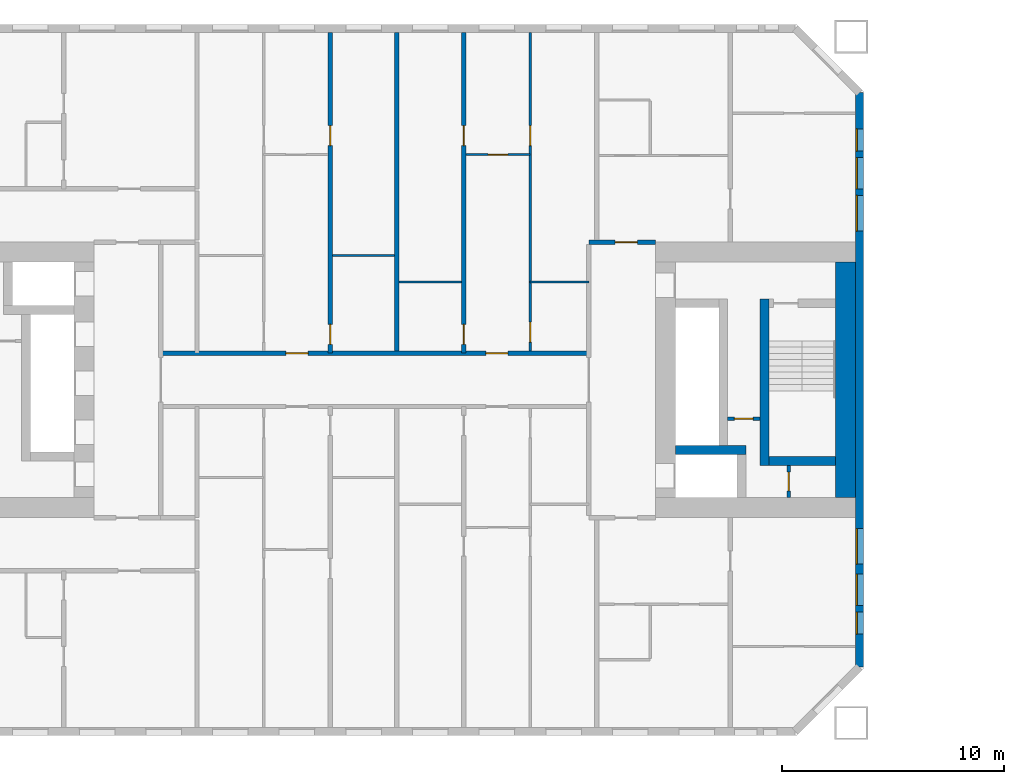
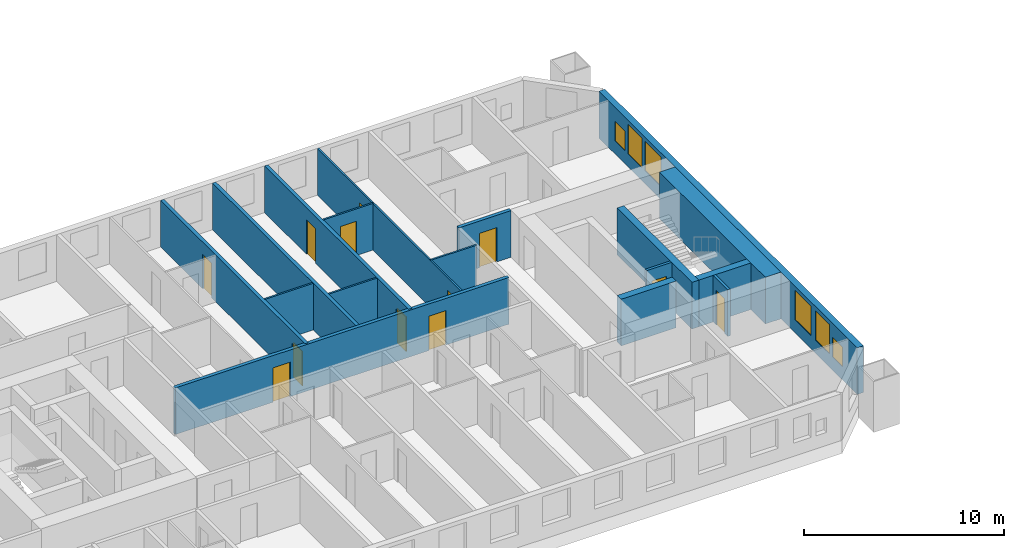
# One storey, part 7 of 16: 17 walls, 12 doors, 6 windows, 18 openings.
"""IFC4 building model written with IfcOpenShell, lengths in metres."""

from ifc_helpers import new_model, si_unit, direction, frame, frame_2d, origin, place, context, subcontext, project, spatial, rectangle, extrude, material, layer, layer_set, type_object, element, fill, save


model = new_model("IFC4")

# Units and contexts
model_context = context("Model", 3, precision=1e-05, world=origin(), true_north=direction((0.0, 1.0)))
body_context = subcontext(model_context, "Body", "Model", "MODEL_VIEW")
ifc_project = project(units=[si_unit("LENGTHUNIT", "METRE"), si_unit("AREAUNIT", "SQUARE_METRE"), si_unit("VOLUMEUNIT", "CUBIC_METRE"), si_unit("PLANEANGLEUNIT", "RADIAN"), si_unit("MASSUNIT", "GRAM", prefix="KILO")], contexts=[model_context])

# Site, building, storey
site_placement = place(None, origin())
site = spatial("IfcSite", under=ifc_project, at=site_placement, CompositionType="ELEMENT")
building_placement = place(site_placement, origin())
building = spatial("IfcBuilding", under=site, at=building_placement, Name="Tuart Gate Housing", CompositionType="ELEMENT")
storey_placement = place(building_placement, frame((0.0, 0.0, 19.5)))
storey = spatial("IfcBuildingStorey", under=building, at=storey_placement, Name="L04", CompositionType="ELEMENT", Elevation=19.5)

# Wall, openings, windows
ifc_material_1 = material(Name="Brick", Category="masonry")
ifc_layer_1 = layer(ifc_material_1, 0.360107421875)
ifc_layer_set_1 = layer_set([ifc_layer_1], Name="Brick pier and spandrel wall 360")
wall_type_1 = type_object("IfcWallType", Name="Brick pier and spandrel wall 360", PredefinedType="STANDARD", material=ifc_layer_set_1)
wall_1_placement = place(storey_placement, frame((75.820068359375, 57.07470703125, 0.0), z_axis=(0.0, 0.0, 1.0), x_axis=(0.0, 1.0, 0.0)))
wall_1 = element("IfcWall", 1, at=wall_1_placement, inside=storey, type_object=wall_type_1, Name="External wall A-E L04", PredefinedType="STANDARD", context=body_context, shape_type="SweptSolid", body=[
    extrude(rectangle(XDim=25.850830078125, YDim=0.360107421875, at=frame_2d((12.92529296875, 0.0))), origin(), (0.0, 0.0, 1.0), 2.85009765625),
])
opening_1_placement = place(wall_1_placement, frame((1.475341796875, 0.0, 0.800048828125)))
opening_1 = element("IfcOpeningElement", 2, at=opening_1_placement, cuts=wall_1, Name="Opening W1O", PredefinedType="OPENING", context=body_context, shape_type="SweptSolid", body=[
    extrude(rectangle(XDim=1.0, YDim=1.199951171875, at=frame_2d((0.5, 0.60009765625))), frame((0.0, 0.18994140625, 0.0), z_axis=(0.0, -1.0, 0.0), x_axis=(1.0, 0.0, 0.0)), (0.0, 0.0, 1.0), 0.380126953125),
])
opening_2_placement = place(wall_1_placement, frame((4.62548828125, 0.0, 0.800048828125)))
opening_2 = element("IfcOpeningElement", 3, at=opening_2_placement, cuts=wall_1, Name="Opening W1", PredefinedType="OPENING", context=body_context, shape_type="SweptSolid", body=[
    extrude(rectangle(XDim=1.60009765625, YDim=1.800048828125, at=frame_2d((0.800048828125, 0.89990234375))), frame((0.0, 0.18994140625, 0.0), z_axis=(0.0, -1.0, 0.0), x_axis=(1.0, 0.0, 0.0)), (0.0, 0.0, 1.0), 0.380126953125),
])
opening_3_placement = place(wall_1_placement, frame((19.62548828125, 0.0, 0.800048828125)))
opening_3 = element("IfcOpeningElement", 4, at=opening_3_placement, cuts=wall_1, Name="Opening W1", PredefinedType="OPENING", context=body_context, shape_type="SweptSolid", body=[
    extrude(rectangle(XDim=1.60009765625, YDim=1.800048828125, at=frame_2d((0.800048828125, 0.89990234375))), frame((0.0, 0.18994140625, 0.0), z_axis=(0.0, -1.0, 0.0), x_axis=(1.0, 0.0, 0.0)), (0.0, 0.0, 1.0), 0.380126953125),
])
opening_4_placement = place(wall_1_placement, frame((21.525390625, 0.0, 0.800048828125)))
opening_4 = element("IfcOpeningElement", 5, at=opening_4_placement, cuts=wall_1, Name="Opening W1A", PredefinedType="OPENING", context=body_context, shape_type="SweptSolid", body=[
    extrude(rectangle(XDim=1.39990234375, YDim=1.800048828125, at=frame_2d((0.699951171875, 0.89990234375))), frame((0.0, 0.18994140625, 0.0), z_axis=(0.0, -1.0, 0.0), x_axis=(1.0, 0.0, 0.0)), (0.0, 0.0, 1.0), 0.380126953125),
])
opening_5_placement = place(wall_1_placement, frame((2.775390625, 0.0, 0.800048828125)))
opening_5 = element("IfcOpeningElement", 6, at=opening_5_placement, cuts=wall_1, Name="Opening W1A", PredefinedType="OPENING", context=body_context, shape_type="SweptSolid", body=[
    extrude(rectangle(XDim=1.39990234375, YDim=1.800048828125, at=frame_2d((0.699951171875, 0.89990234375))), frame((0.0, 0.18994140625, 0.0), z_axis=(0.0, -1.0, 0.0), x_axis=(1.0, 0.0, 0.0)), (0.0, 0.0, 1.0), 0.380126953125),
])
opening_6_placement = place(wall_1_placement, frame((23.225341796875, 0.0, 0.800048828125)))
opening_6 = element("IfcOpeningElement", 7, at=opening_6_placement, cuts=wall_1, Name="Opening W1O", PredefinedType="OPENING", context=body_context, shape_type="SweptSolid", body=[
    extrude(rectangle(XDim=1.0, YDim=1.199951171875, at=frame_2d((0.5, 0.60009765625))), frame((0.0, 0.18994140625, 0.0), z_axis=(0.0, -1.0, 0.0), x_axis=(1.0, 0.0, 0.0)), (0.0, 0.0, 1.0), 0.380126953125),
])
ifc_material_2 = material(Name="Aluminium frame with clear glass", Category="aluminium")
window_type_1 = type_object("IfcWindowType", Name="Punched window 1000 x 1200", PartitioningType="SINGLE_PANEL", PredefinedType="WINDOW", material=ifc_material_2)
window_1_placement = place(opening_1_placement, origin())
window_1 = element("IfcWindow", 8, at=window_1_placement, inside=storey, type_object=window_type_1, Name="Window W1O", OverallHeight=1.199951171875, OverallWidth=1.0, PartitioningType="SINGLE_PANEL", PredefinedType="WINDOW", context=body_context, shape_type="SweptSolid", body=[
    extrude(rectangle(XDim=1.0, YDim=1.199951171875, at=frame_2d((0.5, 0.60009765625))), frame((0.0, 0.150146484375, 0.0), z_axis=(0.0, -1.0, 0.0), x_axis=(1.0, 0.0, 0.0)), (0.0, 0.0, 1.0), 0.06005859375),
])
fill(opening_1, window_1)
window_2_placement = place(opening_6_placement, origin())
window_2 = element("IfcWindow", 9, at=window_2_placement, inside=storey, type_object=window_type_1, Name="Window W1O", OverallHeight=1.199951171875, OverallWidth=1.0, PartitioningType="SINGLE_PANEL", PredefinedType="WINDOW", context=body_context, shape_type="SweptSolid", body=[
    extrude(rectangle(XDim=1.0, YDim=1.199951171875, at=frame_2d((0.5, 0.60009765625))), frame((0.0, 0.150146484375, 0.0), z_axis=(0.0, -1.0, 0.0), x_axis=(1.0, 0.0, 0.0)), (0.0, 0.0, 1.0), 0.06005859375),
])
fill(opening_6, window_2)
ifc_material_3 = material(Name="Aluminium frame with clear glass", Category="aluminium")
window_type_2 = type_object("IfcWindowType", Name="Punched window 1400 x 1800", PartitioningType="SINGLE_PANEL", PredefinedType="WINDOW", material=ifc_material_3)
window_3_placement = place(opening_4_placement, origin())
window_3 = element("IfcWindow", 10, at=window_3_placement, inside=storey, type_object=window_type_2, Name="Window W1A", OverallHeight=1.800048828125, OverallWidth=1.39990234375, PartitioningType="SINGLE_PANEL", PredefinedType="WINDOW", context=body_context, shape_type="SweptSolid", body=[
    extrude(rectangle(XDim=1.39990234375, YDim=1.800048828125, at=frame_2d((0.699951171875, 0.89990234375))), frame((0.0, 0.150146484375, 0.0), z_axis=(0.0, -1.0, 0.0), x_axis=(1.0, 0.0, 0.0)), (0.0, 0.0, 1.0), 0.06005859375),
])
fill(opening_4, window_3)
window_4_placement = place(opening_5_placement, origin())
window_4 = element("IfcWindow", 11, at=window_4_placement, inside=storey, type_object=window_type_2, Name="Window W1A", OverallHeight=1.800048828125, OverallWidth=1.39990234375, PartitioningType="SINGLE_PANEL", PredefinedType="WINDOW", context=body_context, shape_type="SweptSolid", body=[
    extrude(rectangle(XDim=1.39990234375, YDim=1.800048828125, at=frame_2d((0.699951171875, 0.89990234375))), frame((0.0, 0.150146484375, 0.0), z_axis=(0.0, -1.0, 0.0), x_axis=(1.0, 0.0, 0.0)), (0.0, 0.0, 1.0), 0.06005859375),
])
fill(opening_5, window_4)
ifc_material_4 = material(Name="Aluminium frame with clear glass", Category="aluminium")
window_type_3 = type_object("IfcWindowType", Name="Punched window 1600 x 1800", PartitioningType="SINGLE_PANEL", PredefinedType="WINDOW", material=ifc_material_4)
window_5_placement = place(opening_2_placement, origin())
window_5 = element("IfcWindow", 12, at=window_5_placement, inside=storey, type_object=window_type_3, Name="Window W1", OverallHeight=1.800048828125, OverallWidth=1.60009765625, PartitioningType="SINGLE_PANEL", PredefinedType="WINDOW", context=body_context, shape_type="SweptSolid", body=[
    extrude(rectangle(XDim=1.60009765625, YDim=1.800048828125, at=frame_2d((0.800048828125, 0.89990234375))), frame((0.0, 0.150146484375, 0.0), z_axis=(0.0, -1.0, 0.0), x_axis=(1.0, 0.0, 0.0)), (0.0, 0.0, 1.0), 0.06005859375),
])
fill(opening_2, window_5)
window_6_placement = place(opening_3_placement, origin())
window_6 = element("IfcWindow", 13, at=window_6_placement, inside=storey, type_object=window_type_3, Name="Window W1", OverallHeight=1.800048828125, OverallWidth=1.60009765625, PartitioningType="SINGLE_PANEL", PredefinedType="WINDOW", context=body_context, shape_type="SweptSolid", body=[
    extrude(rectangle(XDim=1.60009765625, YDim=1.800048828125, at=frame_2d((0.800048828125, 0.89990234375))), frame((0.0, 0.150146484375, 0.0), z_axis=(0.0, -1.0, 0.0), x_axis=(1.0, 0.0, 0.0)), (0.0, 0.0, 1.0), 0.06005859375),
])
fill(opening_3, window_6)

# Wall, opening, door
ifc_material_5 = material(Name="Plasterboard partition")
ifc_layer_2 = layer(ifc_material_5, 0.14990234375)
ifc_layer_set_2 = layer_set([ifc_layer_2], Name="Core partition 150")
wall_type_2 = type_object("IfcWallType", Name="Core partition 150", PredefinedType="PARTITIONING", material=ifc_layer_set_2)
wall_2_placement = place(storey_placement, frame((69.889892578125, 68.25, 0.0), z_axis=(0.0, 0.0, 1.0), x_axis=(1.0, 0.0, 0.0)))
wall_2 = element("IfcWall", 14, at=wall_2_placement, inside=storey, type_object=wall_type_2, Name="Core partition AG.3", PredefinedType="PARTITIONING", context=body_context, shape_type="SweptSolid", body=[
    extrude(rectangle(XDim=1.4501953125, YDim=0.14990234375, at=frame_2d((0.72509765625, 0.0))), origin(), (0.0, 0.0, 1.0), 2.85009765625),
])
opening_7_placement = place(wall_2_placement, frame((0.300048828125, 0.0, 0.0)))
opening_7 = element("IfcOpeningElement", 15, at=opening_7_placement, cuts=wall_2, Name="Opening D381", PredefinedType="OPENING", context=body_context, shape_type="SweptSolid", body=[
    extrude(rectangle(XDim=0.85009765625, YDim=2.10009765625, at=frame_2d((0.425048828125, 1.050048828125))), frame((0.0, 0.0849609375, 0.0), z_axis=(0.0, -1.0, 0.0), x_axis=(1.0, 0.0, 0.0)), (0.0, 0.0, 1.0), 0.169921875),
])
ifc_material_6 = material(Name="Steel fire door", Category="steel")
door_type_1 = type_object("IfcDoorType", Name="Riser door 850 x 2100 RH", OperationType="SINGLE_SWING_RIGHT", PredefinedType="DOOR", material=ifc_material_6)
door_1_placement = place(opening_7_placement, frame((0.85009765625, 0.0, 0.0), z_axis=(0.0, 0.0, 1.0), x_axis=(-1.0, 0.0, 0.0)))
door_1 = element("IfcDoor", 16, at=door_1_placement, inside=storey, type_object=door_type_1, Name="Service room door AG.E1", OperationType="SINGLE_SWING_RIGHT", OverallHeight=2.10009765625, OverallWidth=0.85009765625, PredefinedType="DOOR", context=body_context, shape_type="SweptSolid", body=[
    extrude(rectangle(XDim=0.85009765625, YDim=2.10009765625, at=frame_2d((0.425048828125, 1.050048828125))), frame((0.0, 0.025146484375, 0.0), z_axis=(0.0, -1.0, 0.0), x_axis=(1.0, 0.0, 0.0)), (0.0, 0.0, 1.0), 0.050048828125),
])
fill(opening_7, door_1)

wall_3_placement = place(storey_placement, frame((72.639892578125, 64.699951171875, 0.0), z_axis=(0.0, 0.0, 1.0), x_axis=(0.0, 1.0, 0.0)))
wall_3 = element("IfcWall", 17, at=wall_3_placement, inside=storey, type_object=wall_type_2, Name="Core partition AG.9", PredefinedType="PARTITIONING", context=body_context, shape_type="SweptSolid", body=[
    extrude(rectangle(XDim=1.449951171875, YDim=0.14990234375, at=frame_2d((0.72509765625, 0.0))), origin(), (0.0, 0.0, 1.0), 2.85009765625),
])
opening_8_placement = place(wall_3_placement, frame((0.300048828125, 0.0, 0.0)))
opening_8 = element("IfcOpeningElement", 18, at=opening_8_placement, cuts=wall_3, Name="Opening D383", PredefinedType="OPENING", context=body_context, shape_type="SweptSolid", body=[
    extrude(rectangle(XDim=0.85009765625, YDim=2.10009765625, at=frame_2d((0.425048828125, 1.050048828125))), frame((0.0, 0.0849609375, 0.0), z_axis=(0.0, -1.0, 0.0), x_axis=(1.0, 0.0, 0.0)), (0.0, 0.0, 1.0), 0.169921875),
])
ifc_material_7 = material(Name="Steel fire door", Category="steel")
door_type_2 = type_object("IfcDoorType", Name="Service door 850 x 2100", OperationType="SINGLE_SWING_LEFT", PredefinedType="DOOR", material=ifc_material_7)
door_2_placement = place(opening_8_placement, origin())
door_2 = element("IfcDoor", 19, at=door_2_placement, inside=storey, type_object=door_type_2, Name="Service room door AG.E2", OperationType="SINGLE_SWING_LEFT", OverallHeight=2.10009765625, OverallWidth=0.85009765625, PredefinedType="DOOR", context=body_context, shape_type="SweptSolid", body=[
    extrude(rectangle(XDim=0.85009765625, YDim=2.10009765625, at=frame_2d((0.425048828125, 1.050048828125))), frame((0.0, 0.02490234375, 0.0), z_axis=(0.0, -1.0, 0.0), x_axis=(1.0, 0.0, 0.0)), (0.0, 0.0, 1.0), 0.050048828125),
])
fill(opening_8, door_2)

# Walls
ifc_material_8 = material(Name="Concrete C60", Category="concrete")
ifc_layer_3 = layer(ifc_material_8, 0.39990234375)
ifc_layer_set_3 = layer_set([ifc_layer_3], Name="Core wall 400 C60")
wall_type_3 = type_object("IfcWallType", Name="Core wall 400 C60", PredefinedType="SHEAR", material=ifc_layer_set_3)
wall_4_placement = place(storey_placement, frame((71.739990234375, 66.35009765625, 0.0), z_axis=(0.0, 0.0, 1.0), x_axis=(1.0, 0.0, 0.0)))
element("IfcWall", 20, at=wall_4_placement, inside=storey, type_object=wall_type_3, Name="Core wall AG.1", PredefinedType="SHEAR", context=body_context, shape_type="SweptSolid", body=[
    extrude(rectangle(XDim=3.0, YDim=0.39990234375, at=frame_2d((1.5, 0.0))), origin(), (0.0, 0.0, 1.0), 2.85009765625),
])
wall_5_placement = place(storey_placement, frame((67.5400390625, 66.85009765625, 0.0), z_axis=(0.0, 0.0, 1.0), x_axis=(1.0, 0.0, 0.0)))
element("IfcWall", 21, at=wall_5_placement, inside=storey, type_object=wall_type_3, Name="Core wall AG.2", PredefinedType="SHEAR", context=body_context, shape_type="SweptSolid", body=[
    extrude(rectangle(XDim=3.169921875, YDim=0.39990234375, at=frame_2d((1.5849609375, 0.0))), origin(), (0.0, 0.0, 1.0), 2.85009765625),
])
wall_6_placement = place(storey_placement, frame((71.5400390625, 66.14990234375, 0.0), z_axis=(0.0, 0.0, 1.0), x_axis=(0.0, 1.0, 0.0)))
element("IfcWall", 22, at=wall_6_placement, inside=storey, type_object=wall_type_3, Name="Core wall AG.8", PredefinedType="SHEAR", context=body_context, shape_type="SweptSolid", body=[
    extrude(rectangle(XDim=7.5, YDim=0.39990234375, at=frame_2d((3.75, 0.0))), origin(), (0.0, 0.0, 1.0), 2.85009765625),
])
ifc_material_9 = material(Name="Concrete C60", Category="concrete")
ifc_layer_4 = layer(ifc_material_9, 0.89990234375)
ifc_layer_set_4 = layer_set([ifc_layer_4], Name="Core wall 900 C60")
wall_type_4 = type_object("IfcWallType", Name="Core wall 900 C60", PredefinedType="SHEAR", material=ifc_layer_set_4)
wall_7_placement = place(storey_placement, frame((75.18994140625, 64.699951171875, 0.0), z_axis=(0.0, 0.0, 1.0), x_axis=(0.0, 1.0, 0.0)))
element("IfcWall", 23, at=wall_7_placement, inside=storey, type_object=wall_type_4, Name="Core wall AG back", PredefinedType="SHEAR", context=body_context, shape_type="SweptSolid", body=[
    extrude(rectangle(XDim=10.60009765625, YDim=0.89990234375, at=frame_2d((5.300048828125, 0.0))), origin(), (0.0, 0.0, 1.0), 2.85009765625),
])

# Wall, openings, doors
ifc_material_10 = material(Name="Concrete masonry 15 MPa", Category="masonry")
ifc_layer_5 = layer(ifc_material_10, 0.199951171875)
ifc_layer_set_5 = layer_set([ifc_layer_5], Name="Corridor wall masonry 200")
wall_type_5 = type_object("IfcWallType", Name="Corridor wall masonry 200", PredefinedType="PARTITIONING", material=ifc_layer_set_5)
wall_8_placement = place(storey_placement, frame((44.360107421875, 71.199951171875, 0.0), z_axis=(0.0, 0.0, 1.0), x_axis=(1.0, 0.0, 0.0)))
wall_8 = element("IfcWall", 24, at=wall_8_placement, inside=storey, type_object=wall_type_5, Name="Corridor wall masonry 200", PredefinedType="PARTITIONING", context=body_context, shape_type="SweptSolid", body=[
    extrude(rectangle(XDim=19.27978515625, YDim=0.199951171875, at=frame_2d((9.639892578125, 0.0))), origin(), (0.0, 0.0, 1.0), 2.85009765625),
])
opening_9_placement = place(wall_8_placement, frame((14.639892578125, 0.0, 0.0)))
opening_9 = element("IfcOpeningElement", 25, at=opening_9_placement, cuts=wall_8, Name="Opening D370", PredefinedType="OPENING", context=body_context, shape_type="SweptSolid", body=[
    extrude(rectangle(XDim=1.0, YDim=2.10009765625, at=frame_2d((0.5, 1.050048828125))), frame((0.0, 0.10986328125, 0.0), z_axis=(0.0, -1.0, 0.0), x_axis=(1.0, 0.0, 0.0)), (0.0, 0.0, 1.0), 0.219970703125),
])
opening_10_placement = place(wall_8_placement, frame((5.639892578125, 0.0, 0.0)))
opening_10 = element("IfcOpeningElement", 26, at=opening_10_placement, cuts=wall_8, Name="Opening D371", PredefinedType="OPENING", context=body_context, shape_type="SweptSolid", body=[
    extrude(rectangle(XDim=1.0, YDim=2.10009765625, at=frame_2d((0.5, 1.050048828125))), frame((0.0, 0.10986328125, 0.0), z_axis=(0.0, -1.0, 0.0), x_axis=(1.0, 0.0, 0.0)), (0.0, 0.0, 1.0), 0.219970703125),
])
ifc_material_11 = material(Name="Timber door leaf in steel frame", Category="steel")
door_type_3 = type_object("IfcDoorType", Name="Flat entrance door 1000", OperationType="SINGLE_SWING_LEFT", PredefinedType="DOOR", material=ifc_material_11)
door_3_placement = place(opening_9_placement, origin())
door_3 = element("IfcDoor", 27, at=door_3_placement, inside=storey, type_object=door_type_3, Name="Flat entrance door", OperationType="SINGLE_SWING_LEFT", OverallHeight=2.10009765625, OverallWidth=1.0, PredefinedType="DOOR", context=body_context, shape_type="SweptSolid", body=[
    extrude(rectangle(XDim=1.0, YDim=2.10009765625, at=frame_2d((0.5, 1.050048828125))), frame((0.0, 0.02490234375, 0.0), z_axis=(0.0, -1.0, 0.0), x_axis=(1.0, 0.0, 0.0)), (0.0, 0.0, 1.0), 0.050048828125),
])
fill(opening_9, door_3)
door_4_placement = place(opening_10_placement, origin())
door_4 = element("IfcDoor", 28, at=door_4_placement, inside=storey, type_object=door_type_3, Name="Flat entrance door", OperationType="SINGLE_SWING_LEFT", OverallHeight=2.10009765625, OverallWidth=1.0, PredefinedType="DOOR", context=body_context, shape_type="SweptSolid", body=[
    extrude(rectangle(XDim=1.0, YDim=2.10009765625, at=frame_2d((0.5, 1.050048828125))), frame((0.0, 0.02490234375, 0.0), z_axis=(0.0, -1.0, 0.0), x_axis=(1.0, 0.0, 0.0)), (0.0, 0.0, 1.0), 0.050048828125),
])
fill(opening_10, door_4)

# Wall, opening, door
ifc_material_12 = material(Name="Concrete masonry 15 MPa", Category="masonry")
ifc_layer_6 = layer(ifc_material_12, 0.199951171875)
ifc_layer_set_6 = layer_set([ifc_layer_6], Name="Enclosure wall masonry 200")
wall_type_6 = type_object("IfcWallType", Name="Enclosure wall masonry 200", PredefinedType="PARTITIONING", material=ifc_layer_set_6)
wall_9_placement = place(storey_placement, frame((63.639892578125, 76.199951171875, 0.0), z_axis=(0.0, 0.0, 1.0), x_axis=(1.0, 0.0, 0.0)))
wall_9 = element("IfcWall", 29, at=wall_9_placement, inside=storey, type_object=wall_type_6, Name="Enclosure wall masonry 200", PredefinedType="PARTITIONING", context=body_context, shape_type="SweptSolid", body=[
    extrude(rectangle(XDim=3.0, YDim=0.199951171875, at=frame_2d((1.5, 0.0))), origin(), (0.0, 0.0, 1.0), 2.85009765625),
])
opening_11_placement = place(wall_9_placement, frame((1.179931640625, 0.0, 0.0)))
opening_11 = element("IfcOpeningElement", 30, at=opening_11_placement, cuts=wall_9, Name="Opening D367", PredefinedType="OPENING", context=body_context, shape_type="SweptSolid", body=[
    extrude(rectangle(XDim=1.0, YDim=2.10009765625, at=frame_2d((0.5, 1.050048828125))), frame((0.0, 0.10986328125, 0.0), z_axis=(0.0, -1.0, 0.0), x_axis=(1.0, 0.0, 0.0)), (0.0, 0.0, 1.0), 0.219970703125),
])
door_5_placement = place(opening_11_placement, origin())
door_5 = element("IfcDoor", 31, at=door_5_placement, inside=storey, type_object=door_type_3, Name="Flat entrance door", OperationType="SINGLE_SWING_LEFT", OverallHeight=2.10009765625, OverallWidth=1.0, PredefinedType="DOOR", context=body_context, shape_type="SweptSolid", body=[
    extrude(rectangle(XDim=1.0, YDim=2.10009765625, at=frame_2d((0.5, 1.050048828125))), frame((0.0, 0.02490234375, 0.0), z_axis=(0.0, -1.0, 0.0), x_axis=(1.0, 0.0, 0.0)), (0.0, 0.0, 1.0), 0.050048828125),
])
fill(opening_11, door_5)

# Walls
ifc_material_13 = material(Name="Gypsum board on steel studs", Category="steel")
ifc_layer_7 = layer(ifc_material_13, 0.10009765625)
ifc_layer_set_7 = layer_set([ifc_layer_7], Name="Partition 100")
wall_type_7 = type_object("IfcWallType", Name="Partition 100", PredefinedType="PARTITIONING", material=ifc_layer_set_7)
wall_10_placement = place(storey_placement, frame((55.10009765625, 74.39990234375, 0.0), z_axis=(0.0, 0.0, 1.0), x_axis=(1.0, 0.0, 0.0)))
element("IfcWall", 32, at=wall_10_placement, inside=storey, type_object=wall_type_7, Name="Partition 100", PredefinedType="PARTITIONING", context=body_context, shape_type="SweptSolid", body=[
    extrude(rectangle(XDim=2.7998046875, YDim=0.10009765625, at=frame_2d((1.39990234375, 0.0))), origin(), (0.0, 0.0, 1.0), 2.85009765625),
])
wall_11_placement = place(storey_placement, frame((61.0, 74.39990234375, 0.0), z_axis=(0.0, 0.0, 1.0), x_axis=(1.0, 0.0, 0.0)))
element("IfcWall", 33, at=wall_11_placement, inside=storey, type_object=wall_type_7, Name="Partition 100", PredefinedType="PARTITIONING", context=body_context, shape_type="SweptSolid", body=[
    extrude(rectangle(XDim=2.639892578125, YDim=0.10009765625, at=frame_2d((1.31982421875, 0.0))), origin(), (0.0, 0.0, 1.0), 2.85009765625),
])
wall_12_placement = place(storey_placement, frame((52.10009765625, 75.60009765625, 0.0), z_axis=(0.0, 0.0, 1.0), x_axis=(1.0, 0.0, 0.0)))
element("IfcWall", 34, at=wall_12_placement, inside=storey, type_object=wall_type_7, Name="Partition 100", PredefinedType="PARTITIONING", context=body_context, shape_type="SweptSolid", body=[
    extrude(rectangle(XDim=2.7998046875, YDim=0.10009765625, at=frame_2d((1.39990234375, 0.0))), origin(), (0.0, 0.0, 1.0), 2.85009765625),
])

# Wall, opening, door
wall_13_placement = place(storey_placement, frame((58.10009765625, 80.139892578125, 0.0), z_axis=(0.0, 0.0, 1.0), x_axis=(1.0, 0.0, 0.0)))
wall_13 = element("IfcWall", 35, at=wall_13_placement, inside=storey, type_object=wall_type_7, Name="Partition 100", PredefinedType="PARTITIONING", context=body_context, shape_type="SweptSolid", body=[
    extrude(rectangle(XDim=2.89990234375, YDim=0.10009765625, at=frame_2d((1.449951171875, 0.0))), origin(), (0.0, 0.0, 1.0), 2.85009765625),
])
opening_12_placement = place(wall_13_placement, frame((1.0, 0.0, 0.0)))
opening_12 = element("IfcOpeningElement", 36, at=opening_12_placement, cuts=wall_13, Name="Opening D350", PredefinedType="OPENING", context=body_context, shape_type="SweptSolid", body=[
    extrude(rectangle(XDim=0.89990234375, YDim=2.10009765625, at=frame_2d((0.449951171875, 1.050048828125))), frame((0.0, 0.06005859375, 0.0), z_axis=(0.0, -1.0, 0.0), x_axis=(1.0, 0.0, 0.0)), (0.0, 0.0, 1.0), 0.1201171875),
])
ifc_material_14 = material(Name="Timber door leaf in steel frame", Category="steel")
door_type_4 = type_object("IfcDoorType", Name="Internal door 900", OperationType="SINGLE_SWING_LEFT", PredefinedType="DOOR", material=ifc_material_14)
door_6_placement = place(opening_12_placement, frame((0.89990234375, 0.0, 0.0), z_axis=(0.0, 0.0, 1.0), x_axis=(-1.0, 0.0, 0.0)))
door_6 = element("IfcDoor", 37, at=door_6_placement, inside=storey, type_object=door_type_4, Name="Internal door", OperationType="SINGLE_SWING_LEFT", OverallHeight=2.10009765625, OverallWidth=0.89990234375, PredefinedType="DOOR", context=body_context, shape_type="SweptSolid", body=[
    extrude(rectangle(XDim=0.89990234375, YDim=2.10009765625, at=frame_2d((0.449951171875, 1.050048828125))), frame((0.0, 0.025146484375, 0.0), z_axis=(0.0, -1.0, 0.0), x_axis=(1.0, 0.0, 0.0)), (0.0, 0.0, 1.0), 0.050048828125),
])
fill(opening_12, door_6)

# Wall, openings, doors
wall_14_placement = place(storey_placement, frame((61.0, 71.300048828125, 0.0), z_axis=(0.0, 0.0, 1.0), x_axis=(0.0, 1.0, 0.0)))
wall_14 = element("IfcWall", 38, at=wall_14_placement, inside=storey, type_object=wall_type_7, Name="Partition 100", PredefinedType="PARTITIONING", context=body_context, shape_type="SweptSolid", body=[
    extrude(rectangle(XDim=14.33984375, YDim=0.10009765625, at=frame_2d((7.169921875, 0.0))), origin(), (0.0, 0.0, 1.0), 2.85009765625),
])
opening_13_placement = place(wall_14_placement, frame((9.239990234375, 0.0, 0.0)))
opening_13 = element("IfcOpeningElement", 39, at=opening_13_placement, cuts=wall_14, Name="Opening D360", PredefinedType="OPENING", context=body_context, shape_type="SweptSolid", body=[
    extrude(rectangle(XDim=0.89990234375, YDim=2.10009765625, at=frame_2d((0.449951171875, 1.050048828125))), frame((0.0, 0.06005859375, 0.0), z_axis=(0.0, -1.0, 0.0), x_axis=(1.0, 0.0, 0.0)), (0.0, 0.0, 1.0), 0.1201171875),
])
opening_14_placement = place(wall_14_placement, frame((0.39990234375, 0.0, 0.0)))
opening_14 = element("IfcOpeningElement", 40, at=opening_14_placement, cuts=wall_14, Name="Opening D359", PredefinedType="OPENING", context=body_context, shape_type="SweptSolid", body=[
    extrude(rectangle(XDim=0.89990234375, YDim=2.10009765625, at=frame_2d((0.449951171875, 1.050048828125))), frame((0.0, 0.06005859375, 0.0), z_axis=(0.0, -1.0, 0.0), x_axis=(1.0, 0.0, 0.0)), (0.0, 0.0, 1.0), 0.1201171875),
])
ifc_material_15 = material(Name="Timber door leaf in steel frame", Category="steel")
door_type_5 = type_object("IfcDoorType", Name="Bathroom door 900 RH", OperationType="SINGLE_SWING_RIGHT", PredefinedType="DOOR", material=ifc_material_15)
door_7_placement = place(opening_14_placement, frame((0.89990234375, 0.0, 0.0), z_axis=(0.0, 0.0, 1.0), x_axis=(-1.0, 0.0, 0.0)))
door_7 = element("IfcDoor", 41, at=door_7_placement, inside=storey, type_object=door_type_5, Name="Bathroom door", OperationType="SINGLE_SWING_RIGHT", OverallHeight=2.10009765625, OverallWidth=0.89990234375, PredefinedType="DOOR", context=body_context, shape_type="SweptSolid", body=[
    extrude(rectangle(XDim=0.89990234375, YDim=2.10009765625, at=frame_2d((0.449951171875, 1.050048828125))), frame((0.0, 0.025146484375, 0.0), z_axis=(0.0, -1.0, 0.0), x_axis=(1.0, 0.0, 0.0)), (0.0, 0.0, 1.0), 0.050048828125),
])
fill(opening_14, door_7)
door_8_placement = place(opening_13_placement, frame((0.89990234375, 0.0, 0.0), z_axis=(0.0, 0.0, 1.0), x_axis=(-1.0, 0.0, 0.0)))
door_8 = element("IfcDoor", 42, at=door_8_placement, inside=storey, type_object=door_type_4, Name="Internal door", OperationType="SINGLE_SWING_LEFT", OverallHeight=2.10009765625, OverallWidth=0.89990234375, PredefinedType="DOOR", context=body_context, shape_type="SweptSolid", body=[
    extrude(rectangle(XDim=0.89990234375, YDim=2.10009765625, at=frame_2d((0.449951171875, 1.050048828125))), frame((0.0, 0.025146484375, 0.0), z_axis=(0.0, -1.0, 0.0), x_axis=(1.0, 0.0, 0.0)), (0.0, 0.0, 1.0), 0.050048828125),
])
fill(opening_13, door_8)

ifc_material_16 = material(Name="Concrete C40", Category="concrete")
ifc_layer_8 = layer(ifc_material_16, 0.199951171875)
ifc_layer_set_8 = layer_set([ifc_layer_8], Name="Party wall concrete C40 200")
wall_type_8 = type_object("IfcWallType", Name="Party wall concrete C40 200", PredefinedType="SOLIDWALL", material=ifc_layer_set_8)
wall_15_placement = place(storey_placement, frame((52.0, 71.199951171875, 0.0), z_axis=(0.0, 0.0, 1.0), x_axis=(0.0, 1.0, 0.0)))
wall_15 = element("IfcWall", 43, at=wall_15_placement, inside=storey, type_object=wall_type_8, Name="Party wall concrete C40 200", PredefinedType="SOLIDWALL", context=body_context, shape_type="SweptSolid", body=[
    extrude(rectangle(XDim=14.43994140625, YDim=0.199951171875, at=frame_2d((7.219970703125, 0.0))), origin(), (0.0, 0.0, 1.0), 2.85009765625),
])
opening_15_placement = place(wall_15_placement, frame((9.340087890625, 0.0, 0.0)))
opening_15 = element("IfcOpeningElement", 44, at=opening_15_placement, cuts=wall_15, Name="Opening D362", PredefinedType="OPENING", context=body_context, shape_type="SweptSolid", body=[
    extrude(rectangle(XDim=0.89990234375, YDim=2.10009765625, at=frame_2d((0.449951171875, 1.050048828125))), frame((0.0, 0.10986328125, 0.0), z_axis=(0.0, -1.0, 0.0), x_axis=(1.0, 0.0, 0.0)), (0.0, 0.0, 1.0), 0.219970703125),
])
opening_16_placement = place(wall_15_placement, frame((0.39990234375, 0.0, 0.0)))
opening_16 = element("IfcOpeningElement", 45, at=opening_16_placement, cuts=wall_15, Name="Opening D361", PredefinedType="OPENING", context=body_context, shape_type="SweptSolid", body=[
    extrude(rectangle(XDim=0.89990234375, YDim=2.10009765625, at=frame_2d((0.449951171875, 1.050048828125))), frame((0.0, 0.10986328125, 0.0), z_axis=(0.0, -1.0, 0.0), x_axis=(1.0, 0.0, 0.0)), (0.0, 0.0, 1.0), 0.219970703125),
])
door_9_placement = place(opening_16_placement, frame((0.89990234375, 0.0, 0.0), z_axis=(0.0, 0.0, 1.0), x_axis=(-1.0, 0.0, 0.0)))
door_9 = element("IfcDoor", 46, at=door_9_placement, inside=storey, type_object=door_type_5, Name="Bathroom door", OperationType="SINGLE_SWING_RIGHT", OverallHeight=2.10009765625, OverallWidth=0.89990234375, PredefinedType="DOOR", context=body_context, shape_type="SweptSolid", body=[
    extrude(rectangle(XDim=0.89990234375, YDim=2.10009765625, at=frame_2d((0.449951171875, 1.050048828125))), frame((0.0, 0.025146484375, 0.0), z_axis=(0.0, -1.0, 0.0), x_axis=(1.0, 0.0, 0.0)), (0.0, 0.0, 1.0), 0.050048828125),
])
fill(opening_16, door_9)
door_10_placement = place(opening_15_placement, frame((0.89990234375, 0.0, 0.0), z_axis=(0.0, 0.0, 1.0), x_axis=(-1.0, 0.0, 0.0)))
door_10 = element("IfcDoor", 47, at=door_10_placement, inside=storey, type_object=door_type_4, Name="Internal door", OperationType="SINGLE_SWING_LEFT", OverallHeight=2.10009765625, OverallWidth=0.89990234375, PredefinedType="DOOR", context=body_context, shape_type="SweptSolid", body=[
    extrude(rectangle(XDim=0.89990234375, YDim=2.10009765625, at=frame_2d((0.449951171875, 1.050048828125))), frame((0.0, 0.025146484375, 0.0), z_axis=(0.0, -1.0, 0.0), x_axis=(1.0, 0.0, 0.0)), (0.0, 0.0, 1.0), 0.050048828125),
])
fill(opening_15, door_10)

wall_16_placement = place(storey_placement, frame((58.0, 71.199951171875, 0.0), z_axis=(0.0, 0.0, 1.0), x_axis=(0.0, 1.0, 0.0)))
wall_16 = element("IfcWall", 48, at=wall_16_placement, inside=storey, type_object=wall_type_8, Name="Party wall concrete C40 200", PredefinedType="SOLIDWALL", context=body_context, shape_type="SweptSolid", body=[
    extrude(rectangle(XDim=14.43994140625, YDim=0.199951171875, at=frame_2d((7.219970703125, 0.0))), origin(), (0.0, 0.0, 1.0), 2.85009765625),
])
opening_17_placement = place(wall_16_placement, frame((9.340087890625, 0.0, 0.0)))
opening_17 = element("IfcOpeningElement", 49, at=opening_17_placement, cuts=wall_16, Name="Opening D364", PredefinedType="OPENING", context=body_context, shape_type="SweptSolid", body=[
    extrude(rectangle(XDim=0.89990234375, YDim=2.10009765625, at=frame_2d((0.449951171875, 1.050048828125))), frame((0.0, 0.10986328125, 0.0), z_axis=(0.0, -1.0, 0.0), x_axis=(1.0, 0.0, 0.0)), (0.0, 0.0, 1.0), 0.219970703125),
])
opening_18_placement = place(wall_16_placement, frame((0.39990234375, 0.0, 0.0)))
opening_18 = element("IfcOpeningElement", 50, at=opening_18_placement, cuts=wall_16, Name="Opening D363", PredefinedType="OPENING", context=body_context, shape_type="SweptSolid", body=[
    extrude(rectangle(XDim=0.89990234375, YDim=2.10009765625, at=frame_2d((0.449951171875, 1.050048828125))), frame((0.0, 0.10986328125, 0.0), z_axis=(0.0, -1.0, 0.0), x_axis=(1.0, 0.0, 0.0)), (0.0, 0.0, 1.0), 0.219970703125),
])
ifc_material_17 = material(Name="Timber door leaf in steel frame", Category="steel")
door_type_6 = type_object("IfcDoorType", Name="Bathroom door 900", OperationType="SINGLE_SWING_LEFT", PredefinedType="DOOR", material=ifc_material_17)
door_11_placement = place(opening_18_placement, origin())
door_11 = element("IfcDoor", 51, at=door_11_placement, inside=storey, type_object=door_type_6, Name="Bathroom door", OperationType="SINGLE_SWING_LEFT", OverallHeight=2.10009765625, OverallWidth=0.89990234375, PredefinedType="DOOR", context=body_context, shape_type="SweptSolid", body=[
    extrude(rectangle(XDim=0.89990234375, YDim=2.10009765625, at=frame_2d((0.449951171875, 1.050048828125))), frame((0.0, 0.02490234375, 0.0), z_axis=(0.0, -1.0, 0.0), x_axis=(1.0, 0.0, 0.0)), (0.0, 0.0, 1.0), 0.050048828125),
])
fill(opening_18, door_11)
ifc_material_18 = material(Name="Timber door leaf in steel frame", Category="steel")
door_type_7 = type_object("IfcDoorType", Name="Internal door 900 RH", OperationType="SINGLE_SWING_RIGHT", PredefinedType="DOOR", material=ifc_material_18)
door_12_placement = place(opening_17_placement, origin())
door_12 = element("IfcDoor", 52, at=door_12_placement, inside=storey, type_object=door_type_7, Name="Internal door", OperationType="SINGLE_SWING_RIGHT", OverallHeight=2.10009765625, OverallWidth=0.89990234375, PredefinedType="DOOR", context=body_context, shape_type="SweptSolid", body=[
    extrude(rectangle(XDim=0.89990234375, YDim=2.10009765625, at=frame_2d((0.449951171875, 1.050048828125))), frame((0.0, 0.02490234375, 0.0), z_axis=(0.0, -1.0, 0.0), x_axis=(1.0, 0.0, 0.0)), (0.0, 0.0, 1.0), 0.050048828125),
])
fill(opening_17, door_12)

# Wall
ifc_material_19 = material(Name="Concrete masonry 15 MPa", Category="masonry")
ifc_layer_9 = layer(ifc_material_19, 0.199951171875)
ifc_layer_set_9 = layer_set([ifc_layer_9], Name="Party wall masonry 200")
wall_type_9 = type_object("IfcWallType", Name="Party wall masonry 200", PredefinedType="PARTITIONING", material=ifc_layer_set_9)
wall_17_placement = place(storey_placement, frame((55.0, 71.300048828125, 0.0), z_axis=(0.0, 0.0, 1.0), x_axis=(0.0, 1.0, 0.0)))
element("IfcWall", 53, at=wall_17_placement, inside=storey, type_object=wall_type_9, Name="Party wall masonry 200", PredefinedType="PARTITIONING", context=body_context, shape_type="SweptSolid", body=[
    extrude(rectangle(XDim=14.33984375, YDim=0.199951171875, at=frame_2d((7.169921875, 0.0))), origin(), (0.0, 0.0, 1.0), 2.85009765625),
])

save(model, "model.ifc")
